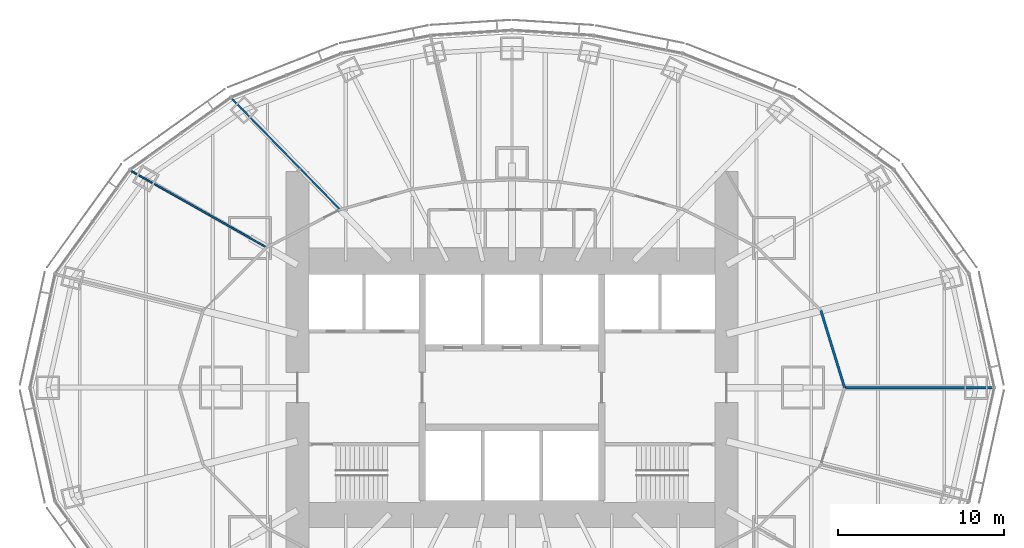
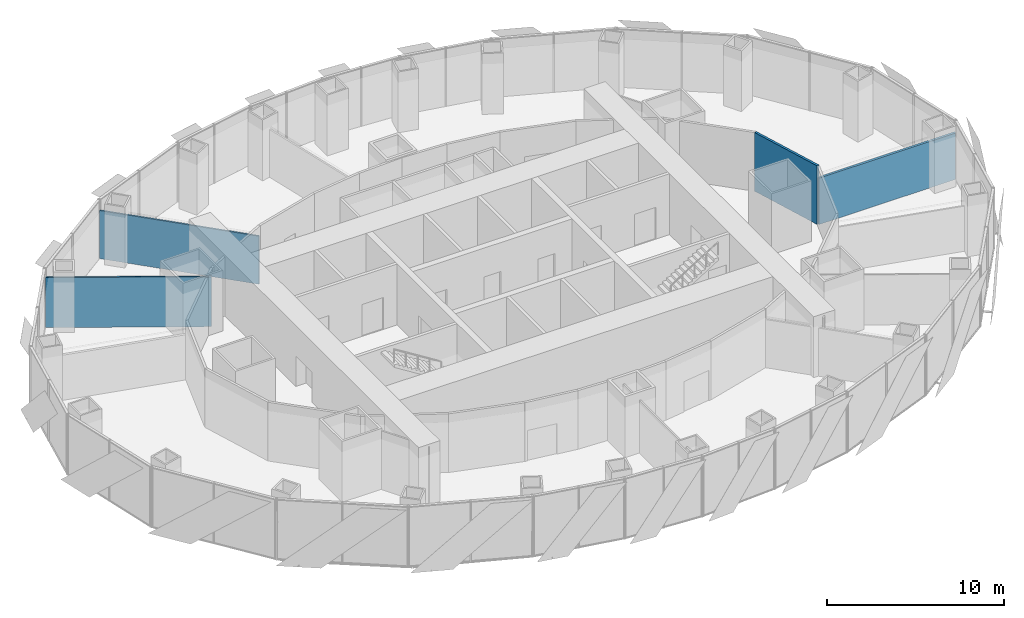
# One storey, part 12 of 18: 4 walls.
"""IFC4 building model written with IfcOpenShell, lengths in metres."""

from ifc_helpers import new_model, si_unit, direction, frame, frame_2d, origin, place, context, subcontext, project, spatial, rectangle, extrude, material, layer, layer_set, type_object, element, save


model = new_model("IFC4")

# Units and contexts
model_context = context("Model", 3, precision=1e-05, world=origin(), true_north=direction((0.0, 1.0)))
body_context = subcontext(model_context, "Body", "Model", "MODEL_VIEW")
ifc_project = project(units=[si_unit("LENGTHUNIT", "METRE"), si_unit("AREAUNIT", "SQUARE_METRE"), si_unit("VOLUMEUNIT", "CUBIC_METRE"), si_unit("PLANEANGLEUNIT", "RADIAN"), si_unit("MASSUNIT", "GRAM", prefix="KILO")], contexts=[model_context])

# Site, building, storey
site_placement = place(None, origin())
site = spatial("IfcSite", under=ifc_project, at=site_placement, CompositionType="ELEMENT")
building_placement = place(site_placement, origin())
building = spatial("IfcBuilding", under=site, at=building_placement, Name="Lantaw Convention Tower", CompositionType="ELEMENT")
storey_placement = place(building_placement, frame((0.0, 0.0, 130.0)))
storey = spatial("IfcBuildingStorey", under=building, at=storey_placement, Name="L30", CompositionType="ELEMENT", Elevation=130.0)

# Walls
ifc_material_1 = material(Name="Gypsum board on steel studs, fire rated", Category="steel")
ifc_layer_1 = layer(ifc_material_1, 0.14990234375)
ifc_layer_set_1 = layer_set([ifc_layer_1], Name="Corridor wall 150 EI 60")
wall_type_1 = type_object("IfcWallType", Name="Corridor wall 150 EI 60", PredefinedType="PARTITIONING", material=ifc_layer_set_1)
wall_1_placement = place(storey_placement, frame((20.0, 0.0, 0.0), z_axis=(0.0, 0.0, 1.0), x_axis=(-0.293799045613, 0.955867208767, 0.0)))
element("IfcWall", 1, at=wall_1_placement, inside=storey, type_object=wall_type_1, Name="Corridor wall 150", PredefinedType="PARTITIONING", context=body_context, shape_type="SweptSolid", body=[
    extrude(rectangle(XDim=4.845458984375, YDim=0.14990234375, at=frame_2d((2.4228515625, 0.0))), origin(), (0.0, 0.0, 1.0), 4.050048828125),
])
ifc_material_2 = material(Name="Gypsum board on steel studs, acoustic", Category="steel")
ifc_layer_2 = layer(ifc_material_2, 0.10009765625)
ifc_layer_set_2 = layer_set([ifc_layer_2], Name="Office partition 100")
wall_type_2 = type_object("IfcWallType", Name="Office partition 100", PredefinedType="PARTITIONING", material=ifc_layer_set_2)
wall_2_placement = place(storey_placement, frame((-16.88232421875, 17.413818359375, 0.0), z_axis=(0.0, 0.0, 1.0), x_axis=(0.698290989425, -0.715814008027, 0.0)))
element("IfcWall", 2, at=wall_2_placement, inside=storey, type_object=wall_type_2, Name="Office partition 100", PredefinedType="PARTITIONING", context=body_context, shape_type="SweptSolid", body=[
    extrude(rectangle(XDim=9.376708984375, YDim=0.10009765625, at=frame_2d((4.6884765625, 0.0))), origin(), (0.0, 0.0, 1.0), 3.321044921875),
])
wall_3_placement = place(storey_placement, frame((-22.948974609375, 13.05908203125, 0.0), z_axis=(0.0, 0.0, 1.0), x_axis=(0.870733950517, -0.491754397456, 0.0)))
element("IfcWall", 3, at=wall_3_placement, inside=storey, type_object=wall_type_2, Name="Office partition 100", PredefinedType="PARTITIONING", context=body_context, shape_type="SweptSolid", body=[
    extrude(rectangle(XDim=9.404052734375, YDim=0.10009765625, at=frame_2d((4.7021484375, 0.0))), origin(), (0.0, 0.0, 1.0), 3.450439453125),
])
ifc_layer_3 = layer(ifc_material_1, 0.14990234375)
ifc_layer_set_3 = layer_set([ifc_layer_3], Name="Tenant separation wall 150 EI 60")
wall_type_3 = type_object("IfcWallType", Name="Tenant separation wall 150 EI 60", PredefinedType="PARTITIONING", material=ifc_layer_set_3)
wall_4_placement = place(storey_placement, frame((28.944091796875, 0.0, 0.0), z_axis=(0.0, 0.0, 1.0), x_axis=(-1.0, 0.0, 0.0)))
element("IfcWall", 4, at=wall_4_placement, inside=storey, type_object=wall_type_3, Name="Tenant separation wall 150", PredefinedType="PARTITIONING", context=body_context, shape_type="SweptSolid", body=[
    extrude(rectangle(XDim=8.944091796875, YDim=0.14990234375, at=frame_2d((4.47216796875, 0.0))), origin(), (0.0, 0.0, 1.0), 3.2041015625),
])

save(model, "model.ifc")
